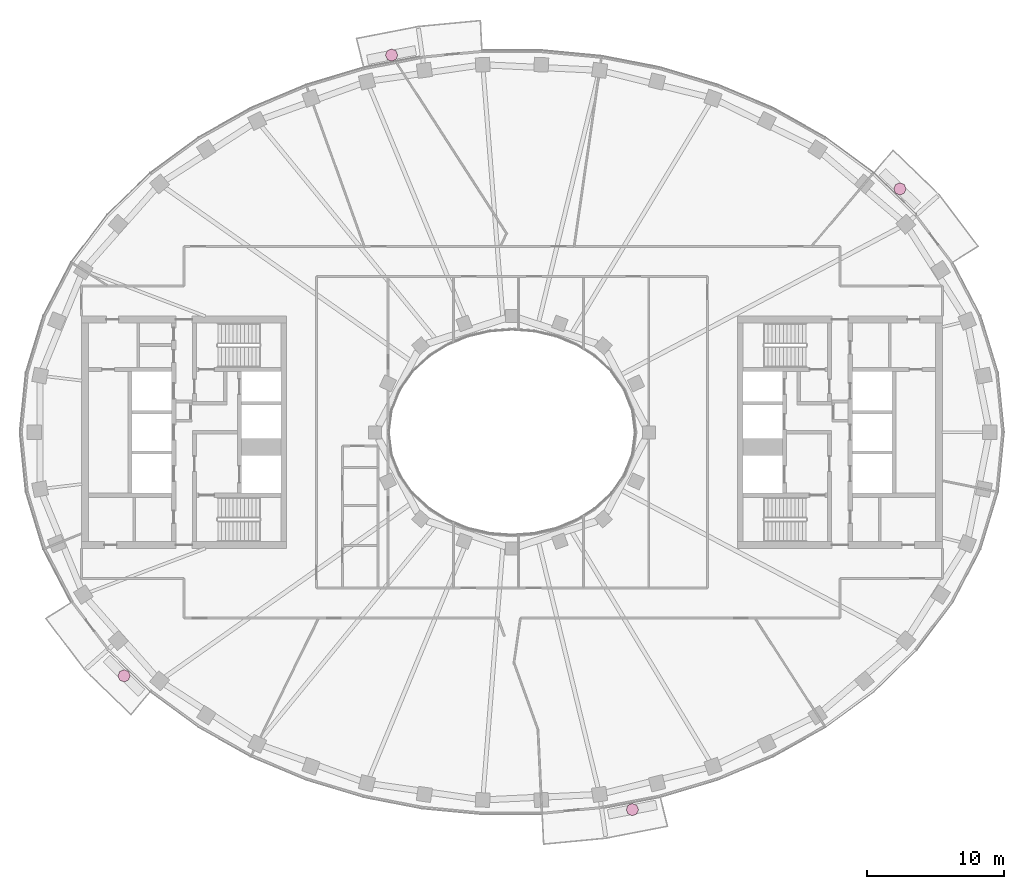
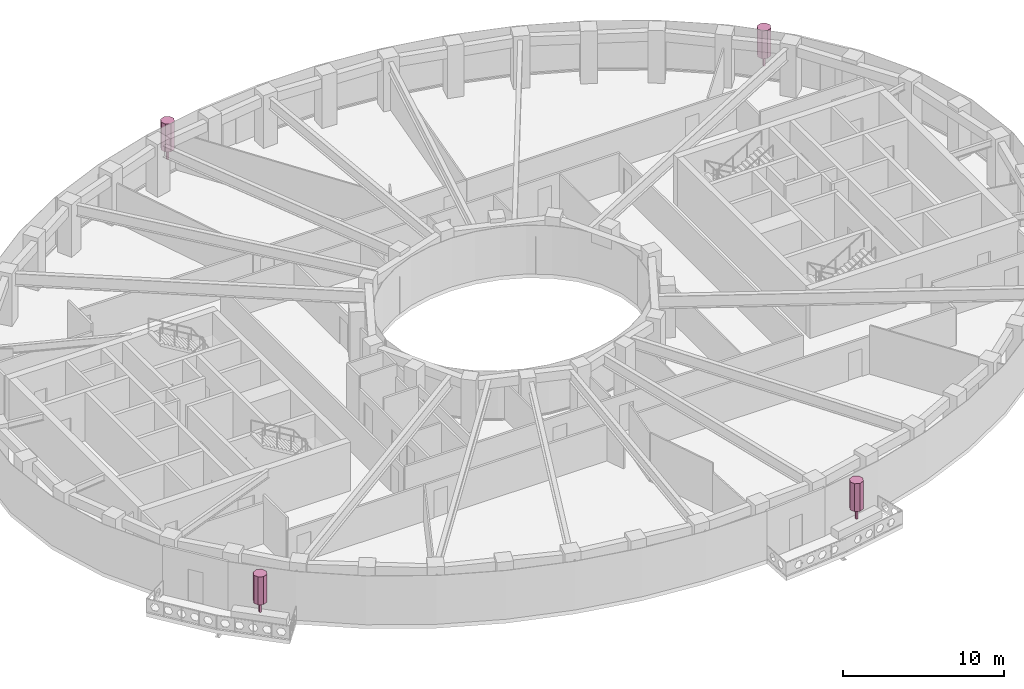
# One storey, part 16 of 16: 4 furnishings.
"""IFC4 building model written with IfcOpenShell, lengths in metres."""

from ifc_helpers import new_model, si_unit, direction, frame, origin, origin_2d, place, context, subcontext, project, spatial, polyline, rectangle, outline, extrude, material, type_object, element, save


model = new_model("IFC4")

# Units and contexts
model_context = context("Model", 3, precision=1e-05, world=origin(), true_north=direction((0.0, 1.0)))
body_context = subcontext(model_context, "Body", "Model", "MODEL_VIEW")
ifc_project = project(units=[si_unit("LENGTHUNIT", "METRE"), si_unit("AREAUNIT", "SQUARE_METRE"), si_unit("VOLUMEUNIT", "CUBIC_METRE"), si_unit("PLANEANGLEUNIT", "RADIAN"), si_unit("MASSUNIT", "GRAM", prefix="KILO")], contexts=[model_context])

# Site, building, storey
site_placement = place(None, origin())
site = spatial("IfcSite", under=ifc_project, at=site_placement, CompositionType="ELEMENT")
building_placement = place(site_placement, origin())
building = spatial("IfcBuilding", under=site, at=building_placement, Name="Noorbagh Ring Tower", CompositionType="ELEMENT")
storey_placement = place(building_placement, frame((0.0, 0.0, 281.5)))
storey = spatial("IfcBuildingStorey", under=building, at=storey_placement, Name="L60", CompositionType="ELEMENT", Elevation=281.5)

# Furnishings
ifc_material = material(Name="Planting foliage green")
furnishing_element_type = type_object("IfcFurnishingElementType", Name="ENV-TREE", material=ifc_material)
for number, where, z_axis, x_axis, name in (
    (1, (28.3837890625, 17.814208984375, 0.60009765625), (0.0, 0.0, 1.0), (1.0, 0.0, 0.0), "Tree BN01"),
    (2, (-8.807861328125, 27.603515625, 0.60009765625), (0.0, 0.0, 1.0), (1.0, 0.0, 0.0), "Tree BN04"),
    (3, (-28.3837890625, -17.814208984375, 0.60009765625), (0.0, 0.0, 1.0), (1.0, 0.0, 0.0), "Tree BS01"),
    (4, (8.807861328125, -27.603515625, 0.60009765625), (0.0, 0.0, 1.0), (1.0, 0.0, 0.0), "Tree BS04"),
):
    element("IfcFurnishingElement", number, at=place(storey_placement, frame(where, z_axis=z_axis, x_axis=x_axis)), inside=storey, type_object=furnishing_element_type, Name=name, context=body_context, shape_type="SweptSolid", body=[
        extrude(rectangle(XDim=0.1201171875, YDim=0.1201171875, at=origin_2d()), origin(), (0.0, 0.0, 1.0), 0.825927734375),
        extrude(outline(polyline([(0.449951171875, 0.0), (0.318115234375, 0.318115234375), (0.0, 0.449951171875), (-0.318115234375, 0.318115234375), (-0.449951171875, 0.0), (-0.318115234375, -0.318115234375), (0.0, -0.449951171875), (0.318115234375, -0.318115234375), (0.449951171875, 0.0)])), frame((0.0, 0.0, 0.825927734375)), (0.0, 0.0, 1.0), 2.1240234375),
    ])

save(model, "model.ifc")
